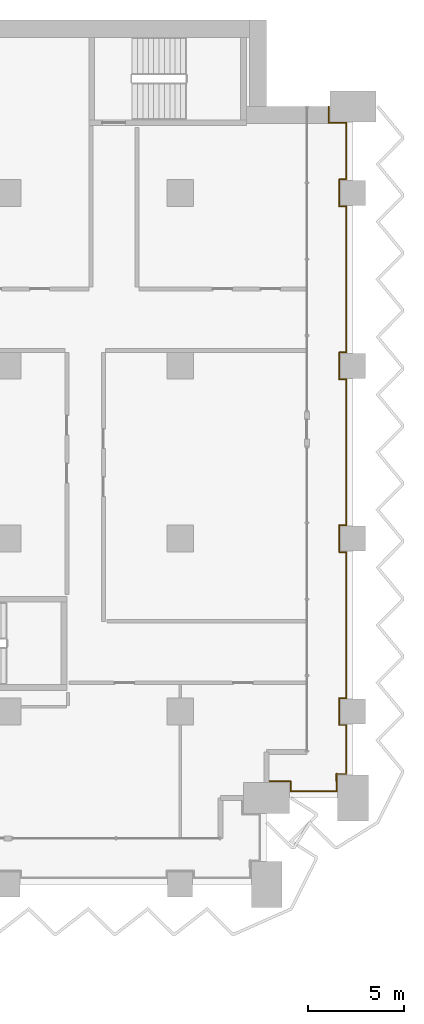
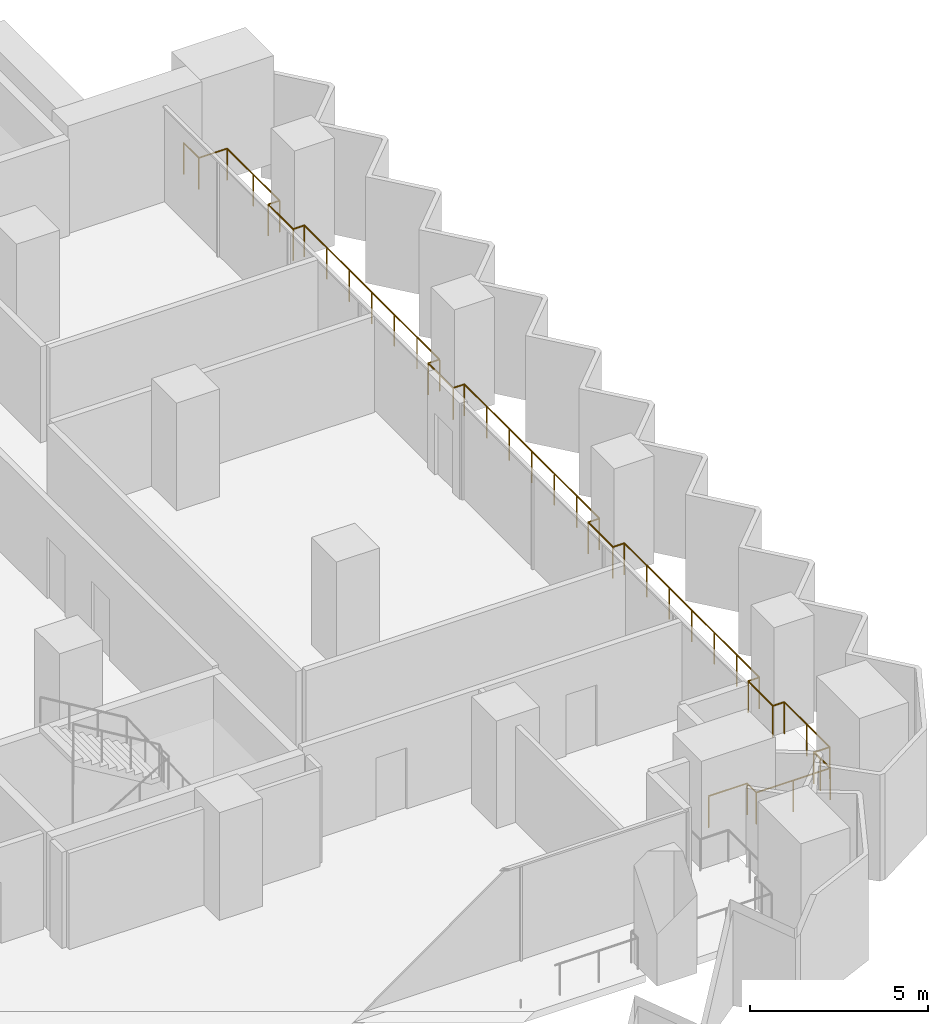
# One storey, part 28 of 28: 1 railing.
"""IFC4 building model written with IfcOpenShell, lengths in metres."""

from ifc_helpers import new_model, si_unit, direction, frame, origin, origin_2d, place, context, subcontext, project, spatial, circle, extrude, material, type_object, element, save


model = new_model("IFC4")

# Units and contexts
model_context = context("Model", 3, precision=1e-05, world=origin(), true_north=direction((0.0, 1.0)))
body_context = subcontext(model_context, "Body", "Model", "MODEL_VIEW")
ifc_project = project(units=[si_unit("LENGTHUNIT", "METRE"), si_unit("AREAUNIT", "SQUARE_METRE"), si_unit("VOLUMEUNIT", "CUBIC_METRE"), si_unit("PLANEANGLEUNIT", "RADIAN"), si_unit("MASSUNIT", "GRAM", prefix="KILO")], contexts=[model_context])

# Site, building, storey
site_placement = place(None, origin())
site = spatial("IfcSite", under=ifc_project, at=site_placement, CompositionType="ELEMENT")
building_placement = place(site_placement, origin())
building = spatial("IfcBuilding", under=site, at=building_placement, Name="Hunhe Ridgeline Campus", CompositionType="ELEMENT")
storey_placement = place(building_placement, frame((0.0, 0.0, 35.800048828125)))
storey = spatial("IfcBuildingStorey", under=building, at=storey_placement, Name="L07", CompositionType="ELEMENT", Elevation=35.800048828125)

# Railing
ifc_material = material(Name="Steel Q355", Category="steel")
railing_type = type_object("IfcRailingType", Name="Loggia guard 1100 Steel Q355", PredefinedType="GUARDRAIL", material=ifc_material)
railing_placement = place(storey_placement, frame((94.5, 59.3701171875, 0.0)))
element("IfcRailing", 1, at=railing_placement, inside=storey, type_object=railing_type, Name="Loggia guard 3", PredefinedType="GUARDRAIL", context=body_context, shape_type="SweptSolid", body=[
    extrude(circle(Radius=0.02392578125, at=origin_2d()), frame((0.0, 0.0, 1.076171875), z_axis=(1.0, 0.0, 0.0), x_axis=(0.0, 1.0, 0.0)), (0.0, 0.0, 1.0), 1.25),
    extrude(circle(Radius=0.02392578125, at=origin_2d()), frame((1.25, 0.0, 1.076171875), z_axis=(0.0, -1.0, 0.0), x_axis=(1.0, 0.0, 0.0)), (0.0, 0.0, 1.0), 0.52001953125),
    extrude(circle(Radius=0.02392578125, at=origin_2d()), frame((1.25, -0.52001953125, 1.076171875), z_axis=(1.0, 0.0, 0.0), x_axis=(0.0, 1.0, 0.0)), (0.0, 0.0, 1.0), 2.39990234375),
    extrude(circle(Radius=0.02392578125, at=origin_2d()), frame((3.64990234375, -0.52001953125, 1.076171875), z_axis=(0.0, 1.0, 0.0), x_axis=(-1.0, 0.0, 0.0)), (0.0, 0.0, 1.0), 0.919921875),
    extrude(circle(Radius=0.02392578125, at=origin_2d()), frame((3.64990234375, 0.39990234375, 1.076171875), z_axis=(-0.049998438503, -0.998749295943, 0.0), x_axis=(0.998749295943, -0.049998438503, 0.0)), (0.0, 0.0, 1.0), 0.400390625),
    extrude(circle(Radius=0.02392578125, at=origin_2d()), frame((3.6298828125, 0.0, 1.076171875), z_axis=(0.0, 1.0, 0.0), x_axis=(-1.0, 0.0, 0.0)), (0.0, 0.0, 1.0), 0.3798828125),
    extrude(circle(Radius=0.02392578125, at=origin_2d()), frame((3.6298828125, 0.3798828125, 1.076171875), z_axis=(1.0, 0.0, 0.0), x_axis=(0.0, 1.0, 0.0)), (0.0, 0.0, 1.0), 0.52001953125),
    extrude(circle(Radius=0.02392578125, at=origin_2d()), frame((4.14990234375, 0.3798828125, 1.076171875), z_axis=(0.0, 1.0, 0.0), x_axis=(-1.0, 0.0, 0.0)), (0.0, 0.0, 1.0), 2.550048828125),
    extrude(circle(Radius=0.02392578125, at=origin_2d()), frame((4.14990234375, 2.929931640625, 1.076171875), z_axis=(-1.0, 0.0, 0.0), x_axis=(0.0, -1.0, 0.0)), (0.0, 0.0, 1.0), 0.369873046875),
    extrude(circle(Radius=0.02392578125, at=origin_2d()), frame((3.780029296875, 2.929931640625, 1.076171875), z_axis=(0.0, 1.0, 0.0), x_axis=(-1.0, 0.0, 0.0)), (0.0, 0.0, 1.0), 1.39990234375),
    extrude(circle(Radius=0.02392578125, at=origin_2d()), frame((3.780029296875, 4.329833984375, 1.076171875), z_axis=(1.0, 0.0, 0.0), x_axis=(0.0, 1.0, 0.0)), (0.0, 0.0, 1.0), 0.369873046875),
    extrude(circle(Radius=0.02392578125, at=origin_2d()), frame((4.14990234375, 4.329833984375, 1.076171875), z_axis=(0.0, 1.0, 0.0), x_axis=(-1.0, 0.0, 0.0)), (0.0, 0.0, 1.0), 7.60009765625),
    extrude(circle(Radius=0.02392578125, at=origin_2d()), frame((4.14990234375, 11.929931640625, 1.076171875), z_axis=(-1.0, 0.0, 0.0), x_axis=(0.0, -1.0, 0.0)), (0.0, 0.0, 1.0), 0.369873046875),
    extrude(circle(Radius=0.02392578125, at=origin_2d()), frame((3.780029296875, 11.929931640625, 1.076171875), z_axis=(0.0, 1.0, 0.0), x_axis=(-1.0, 0.0, 0.0)), (0.0, 0.0, 1.0), 1.39990234375),
    extrude(circle(Radius=0.02392578125, at=origin_2d()), frame((3.780029296875, 13.329833984375, 1.076171875), z_axis=(1.0, 0.0, 0.0), x_axis=(0.0, 1.0, 0.0)), (0.0, 0.0, 1.0), 0.369873046875),
    extrude(circle(Radius=0.02392578125, at=origin_2d()), frame((4.14990234375, 13.329833984375, 1.076171875), z_axis=(0.0, 1.0, 0.0), x_axis=(-1.0, 0.0, 0.0)), (0.0, 0.0, 1.0), 7.60009765625),
    extrude(circle(Radius=0.02392578125, at=origin_2d()), frame((4.14990234375, 20.929931640625, 1.076171875), z_axis=(-1.0, 0.0, 0.0), x_axis=(0.0, -1.0, 0.0)), (0.0, 0.0, 1.0), 0.369873046875),
    extrude(circle(Radius=0.02392578125, at=origin_2d()), frame((3.780029296875, 20.929931640625, 1.076171875), z_axis=(0.0, 1.0, 0.0), x_axis=(-1.0, 0.0, 0.0)), (0.0, 0.0, 1.0), 1.39990234375),
    extrude(circle(Radius=0.02392578125, at=origin_2d()), frame((3.780029296875, 22.329833984375, 1.076171875), z_axis=(1.0, 0.0, 0.0), x_axis=(0.0, 1.0, 0.0)), (0.0, 0.0, 1.0), 0.369873046875),
    extrude(circle(Radius=0.02392578125, at=origin_2d()), frame((4.14990234375, 22.329833984375, 1.076171875), z_axis=(0.0, 1.0, 0.0), x_axis=(-1.0, 0.0, 0.0)), (0.0, 0.0, 1.0), 7.60009765625),
    extrude(circle(Radius=0.02392578125, at=origin_2d()), frame((4.14990234375, 29.929931640625, 1.076171875), z_axis=(-1.0, 0.0, 0.0), x_axis=(0.0, -1.0, 0.0)), (0.0, 0.0, 1.0), 0.369873046875),
    extrude(circle(Radius=0.02392578125, at=origin_2d()), frame((3.780029296875, 29.929931640625, 1.076171875), z_axis=(0.0, 1.0, 0.0), x_axis=(-1.0, 0.0, 0.0)), (0.0, 0.0, 1.0), 1.39990234375),
    extrude(circle(Radius=0.02392578125, at=origin_2d()), frame((3.780029296875, 31.329833984375, 1.076171875), z_axis=(1.0, 0.0, 0.0), x_axis=(0.0, 1.0, 0.0)), (0.0, 0.0, 1.0), 0.369873046875),
    extrude(circle(Radius=0.02392578125, at=origin_2d()), frame((4.14990234375, 31.329833984375, 1.076171875), z_axis=(0.0, 1.0, 0.0), x_axis=(-1.0, 0.0, 0.0)), (0.0, 0.0, 1.0), 2.949951171875),
    extrude(circle(Radius=0.02392578125, at=origin_2d()), frame((4.14990234375, 34.27978515625, 1.076171875), z_axis=(-1.0, 0.0, 0.0), x_axis=(0.0, -1.0, 0.0)), (0.0, 0.0, 1.0), 0.919921875),
    extrude(circle(Radius=0.02392578125, at=origin_2d()), frame((3.22998046875, 34.27978515625, 1.076171875), z_axis=(0.0, 1.0, 0.0), x_axis=(-1.0, 0.0, 0.0)), (0.0, 0.0, 1.0), 0.85009765625),
    extrude(circle(Radius=0.02099609375, at=origin_2d()), origin(), (0.0, 0.0, 1.0), 1.052001953125),
    extrude(circle(Radius=0.02099609375, at=origin_2d()), frame((1.25, 0.0, 0.0)), (0.0, 0.0, 1.0), 1.052001953125),
    extrude(circle(Radius=0.02099609375, at=origin_2d()), frame((1.25, -0.52001953125, 0.0)), (0.0, 0.0, 1.0), 1.052001953125),
    extrude(circle(Radius=0.02099609375, at=origin_2d()), frame((2.449951171875, -0.52001953125, 0.0)), (0.0, 0.0, 1.0), 1.052001953125),
    extrude(circle(Radius=0.02099609375, at=origin_2d()), frame((3.64990234375, -0.52001953125, 0.0)), (0.0, 0.0, 1.0), 1.052001953125),
    extrude(circle(Radius=0.02099609375, at=origin_2d()), frame((3.64990234375, 0.39990234375, 0.0)), (0.0, 0.0, 1.0), 1.052001953125),
    extrude(circle(Radius=0.02099609375, at=origin_2d()), frame((3.6298828125, 0.0, 0.0)), (0.0, 0.0, 1.0), 1.052001953125),
    extrude(circle(Radius=0.02099609375, at=origin_2d()), frame((3.6298828125, 0.3798828125, 0.0)), (0.0, 0.0, 1.0), 1.052001953125),
    extrude(circle(Radius=0.02099609375, at=origin_2d()), frame((4.14990234375, 0.3798828125, 0.0)), (0.0, 0.0, 1.0), 1.052001953125),
    extrude(circle(Radius=0.02099609375, at=origin_2d()), frame((4.14990234375, 1.65478515625, 0.0)), (0.0, 0.0, 1.0), 1.052001953125),
    extrude(circle(Radius=0.02099609375, at=origin_2d()), frame((4.14990234375, 2.929931640625, 0.0)), (0.0, 0.0, 1.0), 1.052001953125),
    extrude(circle(Radius=0.02099609375, at=origin_2d()), frame((3.780029296875, 2.929931640625, 0.0)), (0.0, 0.0, 1.0), 1.052001953125),
    extrude(circle(Radius=0.02099609375, at=origin_2d()), frame((3.780029296875, 4.329833984375, 0.0)), (0.0, 0.0, 1.0), 1.052001953125),
    extrude(circle(Radius=0.02099609375, at=origin_2d()), frame((4.14990234375, 4.329833984375, 0.0)), (0.0, 0.0, 1.0), 1.052001953125),
    extrude(circle(Radius=0.02099609375, at=origin_2d()), frame((4.14990234375, 5.596435546875, 0.0)), (0.0, 0.0, 1.0), 1.052001953125),
    extrude(circle(Radius=0.02099609375, at=origin_2d()), frame((4.14990234375, 6.86328125, 0.0)), (0.0, 0.0, 1.0), 1.052001953125),
    extrude(circle(Radius=0.02099609375, at=origin_2d()), frame((4.14990234375, 8.1298828125, 0.0)), (0.0, 0.0, 1.0), 1.052001953125),
    extrude(circle(Radius=0.02099609375, at=origin_2d()), frame((4.14990234375, 9.396484375, 0.0)), (0.0, 0.0, 1.0), 1.052001953125),
    extrude(circle(Radius=0.02099609375, at=origin_2d()), frame((4.14990234375, 10.663330078125, 0.0)), (0.0, 0.0, 1.0), 1.052001953125),
    extrude(circle(Radius=0.02099609375, at=origin_2d()), frame((4.14990234375, 11.929931640625, 0.0)), (0.0, 0.0, 1.0), 1.052001953125),
    extrude(circle(Radius=0.02099609375, at=origin_2d()), frame((3.780029296875, 11.929931640625, 0.0)), (0.0, 0.0, 1.0), 1.052001953125),
    extrude(circle(Radius=0.02099609375, at=origin_2d()), frame((3.780029296875, 13.329833984375, 0.0)), (0.0, 0.0, 1.0), 1.052001953125),
    extrude(circle(Radius=0.02099609375, at=origin_2d()), frame((4.14990234375, 13.329833984375, 0.0)), (0.0, 0.0, 1.0), 1.052001953125),
    extrude(circle(Radius=0.02099609375, at=origin_2d()), frame((4.14990234375, 14.596435546875, 0.0)), (0.0, 0.0, 1.0), 1.052001953125),
    extrude(circle(Radius=0.02099609375, at=origin_2d()), frame((4.14990234375, 15.86328125, 0.0)), (0.0, 0.0, 1.0), 1.052001953125),
    extrude(circle(Radius=0.02099609375, at=origin_2d()), frame((4.14990234375, 17.1298828125, 0.0)), (0.0, 0.0, 1.0), 1.052001953125),
    extrude(circle(Radius=0.02099609375, at=origin_2d()), frame((4.14990234375, 18.396484375, 0.0)), (0.0, 0.0, 1.0), 1.052001953125),
    extrude(circle(Radius=0.02099609375, at=origin_2d()), frame((4.14990234375, 19.663330078125, 0.0)), (0.0, 0.0, 1.0), 1.052001953125),
    extrude(circle(Radius=0.02099609375, at=origin_2d()), frame((4.14990234375, 20.929931640625, 0.0)), (0.0, 0.0, 1.0), 1.052001953125),
    extrude(circle(Radius=0.02099609375, at=origin_2d()), frame((3.780029296875, 20.929931640625, 0.0)), (0.0, 0.0, 1.0), 1.052001953125),
    extrude(circle(Radius=0.02099609375, at=origin_2d()), frame((3.780029296875, 22.329833984375, 0.0)), (0.0, 0.0, 1.0), 1.052001953125),
    extrude(circle(Radius=0.02099609375, at=origin_2d()), frame((4.14990234375, 22.329833984375, 0.0)), (0.0, 0.0, 1.0), 1.052001953125),
    extrude(circle(Radius=0.02099609375, at=origin_2d()), frame((4.14990234375, 23.596435546875, 0.0)), (0.0, 0.0, 1.0), 1.052001953125),
    extrude(circle(Radius=0.02099609375, at=origin_2d()), frame((4.14990234375, 24.86328125, 0.0)), (0.0, 0.0, 1.0), 1.052001953125),
    extrude(circle(Radius=0.02099609375, at=origin_2d()), frame((4.14990234375, 26.1298828125, 0.0)), (0.0, 0.0, 1.0), 1.052001953125),
    extrude(circle(Radius=0.02099609375, at=origin_2d()), frame((4.14990234375, 27.396484375, 0.0)), (0.0, 0.0, 1.0), 1.052001953125),
    extrude(circle(Radius=0.02099609375, at=origin_2d()), frame((4.14990234375, 28.663330078125, 0.0)), (0.0, 0.0, 1.0), 1.052001953125),
    extrude(circle(Radius=0.02099609375, at=origin_2d()), frame((4.14990234375, 29.929931640625, 0.0)), (0.0, 0.0, 1.0), 1.052001953125),
    extrude(circle(Radius=0.02099609375, at=origin_2d()), frame((3.780029296875, 29.929931640625, 0.0)), (0.0, 0.0, 1.0), 1.052001953125),
    extrude(circle(Radius=0.02099609375, at=origin_2d()), frame((3.780029296875, 31.329833984375, 0.0)), (0.0, 0.0, 1.0), 1.052001953125),
    extrude(circle(Radius=0.02099609375, at=origin_2d()), frame((4.14990234375, 31.329833984375, 0.0)), (0.0, 0.0, 1.0), 1.052001953125),
    extrude(circle(Radius=0.02099609375, at=origin_2d()), frame((4.14990234375, 32.8046875, 0.0)), (0.0, 0.0, 1.0), 1.052001953125),
    extrude(circle(Radius=0.02099609375, at=origin_2d()), frame((4.14990234375, 34.27978515625, 0.0)), (0.0, 0.0, 1.0), 1.052001953125),
    extrude(circle(Radius=0.02099609375, at=origin_2d()), frame((3.22998046875, 34.27978515625, 0.0)), (0.0, 0.0, 1.0), 1.052001953125),
    extrude(circle(Radius=0.02099609375, at=origin_2d()), frame((3.22998046875, 35.1298828125, 0.0)), (0.0, 0.0, 1.0), 1.052001953125),
])

save(model, "model.ifc")
